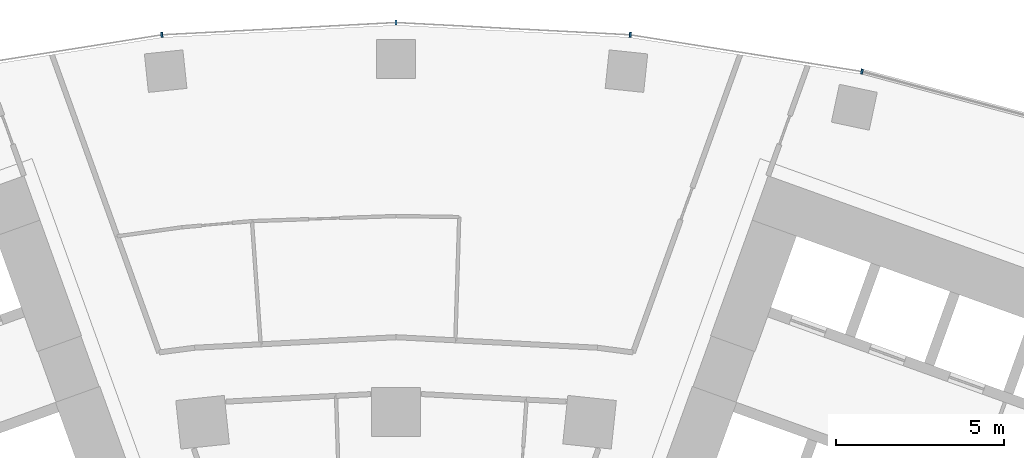
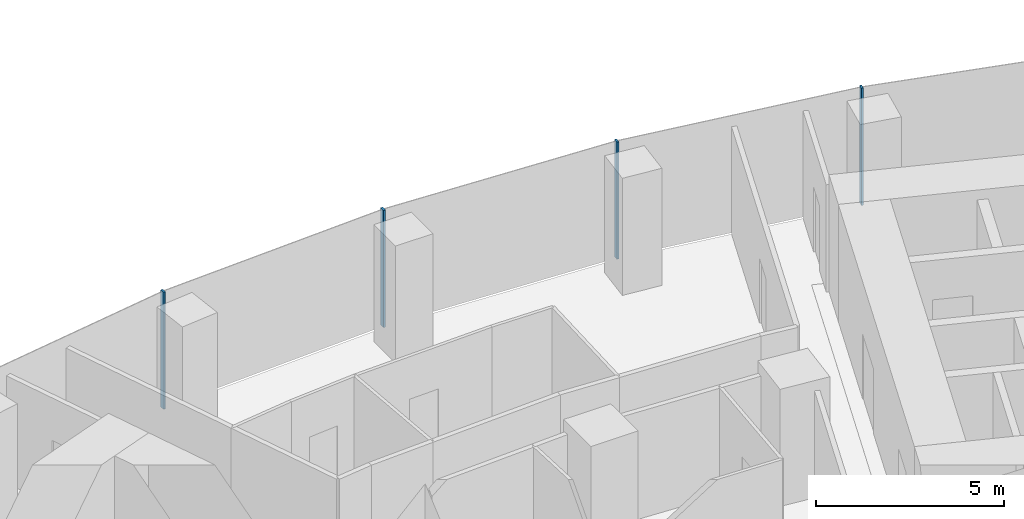
# One storey, part 6 of 21: 4 members, 1 element without a shape of its own.
"""IFC4 building model written with IfcOpenShell, lengths in metres."""

from ifc_helpers import new_model, si_unit, direction, frame, origin, origin_2d, place, context, subcontext, project, spatial, rectangle, extrude, material, layer, layer_set, material_profile, profile_set, type_object, element, aggregate, save


model = new_model("IFC4")

# Units and contexts
model_context = context("Model", 3, precision=1e-05, world=origin(), true_north=direction((0.0, 1.0)))
body_context = subcontext(model_context, "Body", "Model", "MODEL_VIEW")
ifc_project = project(units=[si_unit("LENGTHUNIT", "METRE"), si_unit("AREAUNIT", "SQUARE_METRE"), si_unit("VOLUMEUNIT", "CUBIC_METRE"), si_unit("PLANEANGLEUNIT", "RADIAN"), si_unit("MASSUNIT", "GRAM", prefix="KILO")], contexts=[model_context])

# Site, building, storey
site_placement = place(None, origin())
site = spatial("IfcSite", under=ifc_project, at=site_placement, CompositionType="ELEMENT")
building_placement = place(site_placement, origin())
building = spatial("IfcBuilding", under=site, at=building_placement, Name="Stone Belt Terrace Tower", CompositionType="ELEMENT")
storey_placement = place(building_placement, frame((0.0, 0.0, 113.60009765625)))
storey = spatial("IfcBuildingStorey", under=building, at=storey_placement, Name="L27", CompositionType="ELEMENT", Elevation=113.60009765625)

# Curtain wall, members
ifc_material = material(Name="Aluminium 6063-T6 anodised frame", Category="aluminium")
ifc_layer = layer(ifc_material, 0.14990234375)
ifc_layer_set = layer_set([ifc_layer], Name="CW-A unitised convex-face curtain wall")
curtain_wall_type = type_object("IfcCurtainWallType", Name="CW-A unitised convex-face curtain wall", PredefinedType="NOTDEFINED", material=ifc_layer_set)
curtain_wall_placement = place(storey_placement, origin())
curtain_wall = element("IfcCurtainWall", 1, at=curtain_wall_placement, inside=storey, type_object=curtain_wall_type, Name="CW-A convex face L27", PredefinedType="NOTDEFINED")
ifc_material_profile = material_profile(ifc_material, rectangle(XDim=0.14990234375, YDim=0.06005859375, at=origin_2d()), Name="Aluminium 6063-T6 60x150")
ifc_profile_set = profile_set([ifc_material_profile], Name="Aluminium 6063-T6 anodised frame")
member_type = type_object("IfcMemberType", Name="CW-A mullion 60 x 150", PredefinedType="MULLION", material=ifc_profile_set)
member_1_placement = place(storey_placement, frame((13.841796875, 65.120361328125, 0.0), z_axis=(0.0, 0.0, 1.0), x_axis=(-0.207911690818, -0.978147600734, 0.0)))
member_1 = element("IfcMember", 2, at=member_1_placement, type_object=member_type, Name="CW-A mullion 8", PredefinedType="MULLION", context=body_context, shape_type="SweptSolid", body=[
    extrude(rectangle(XDim=0.14990234375, YDim=0.06005859375, at=origin_2d()), origin(), (0.0, 0.0, 1.0), 3.7998046875),
])
member_2_placement = place(storey_placement, frame((6.958984375, 66.21044921875, 0.0), z_axis=(0.0, 0.0, 1.0), x_axis=(-0.104528463268, -0.994521895368, 0.0)))
member_2 = element("IfcMember", 3, at=member_2_placement, type_object=member_type, Name="CW-A mullion 9", PredefinedType="MULLION", context=body_context, shape_type="SweptSolid", body=[
    extrude(rectangle(XDim=0.14990234375, YDim=0.06005859375, at=origin_2d()), origin(), (0.0, 0.0, 1.0), 3.7998046875),
])
member_3_placement = place(storey_placement, frame((0.0, 66.5751953125, 0.0), z_axis=(0.0, 0.0, 1.0), x_axis=(0.0, -1.0, 0.0)))
member_3 = element("IfcMember", 4, at=member_3_placement, type_object=member_type, Name="CW-A mullion 10", PredefinedType="MULLION", context=body_context, shape_type="SweptSolid", body=[
    extrude(rectangle(XDim=0.14990234375, YDim=0.06005859375, at=origin_2d()), origin(), (0.0, 0.0, 1.0), 3.7998046875),
])
member_4_placement = place(storey_placement, frame((-6.958984375, 66.21044921875, 0.0), z_axis=(0.0, 0.0, 1.0), x_axis=(0.104528463268, -0.994521895368, 0.0)))
member_4 = element("IfcMember", 5, at=member_4_placement, type_object=member_type, Name="CW-A mullion 11", PredefinedType="MULLION", context=body_context, shape_type="SweptSolid", body=[
    extrude(rectangle(XDim=0.14990234375, YDim=0.06005859375, at=origin_2d()), origin(), (0.0, 0.0, 1.0), 3.7998046875),
])
aggregate(curtain_wall, [member_1, member_2, member_3, member_4])

save(model, "model.ifc")
